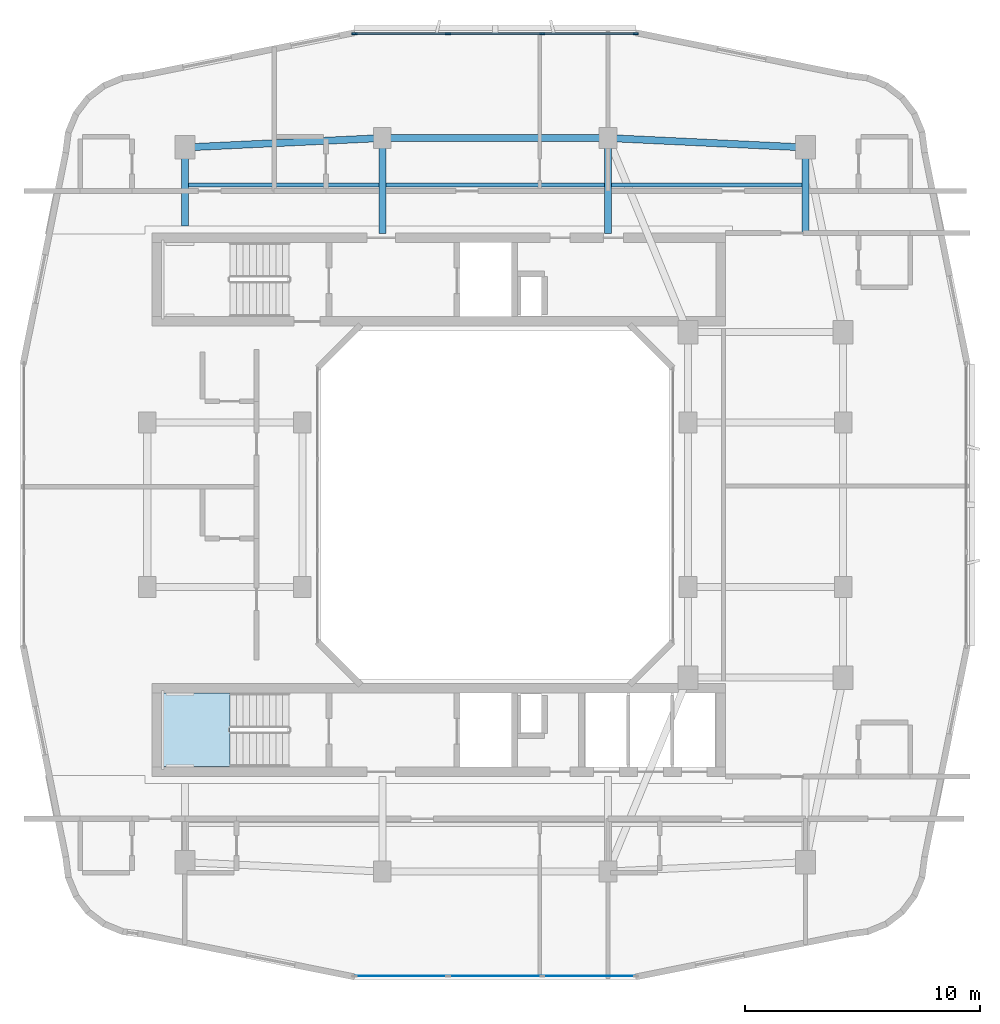
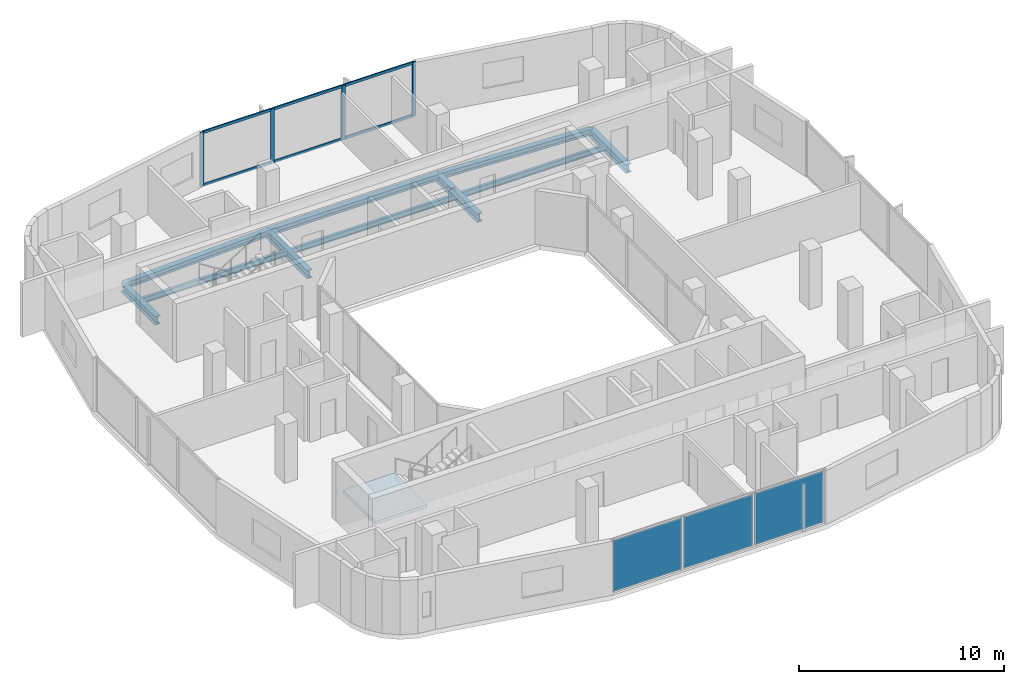
# One storey, part 5 of 14: 10 beams, 10 members, 3 plates, 1 slab, 3 elements without a shape of their own.
"""IFC4 building model written with IfcOpenShell, lengths in metres."""

import ifcopenshell
import ifcopenshell.guid

model = None  # the IFC model being written
_history = None  # IfcOwnerHistory: only IFC2X3 demands one
_inside = {}  # id of a spatial element -> (the spatial element, [elements in it])
_under = {}  # id of a project, library or spatial element -> (it, [spatial elements below it])
_declared = {}  # id of a project -> (the project, [libraries it declares])
_typed = {}  # id of a type object -> (the type object, [elements of that type])
_made_of = {}  # id of a material, layer set ... -> (it, [elements and type objects made of it])


def new_model(schema):
    """Start an empty IFC model of exactly this schema.

    Asked for "IFC4X3", IfcOpenShell would pick the latest addendum, in which some entities
    have other attributes; the version numbers below select the first issue.
    IFC2X3 requires an IfcOwnerHistory on every rooted entity: one is made here for all.
    """
    global model, _history
    if schema == "IFC4X3":
        model = ifcopenshell.file(schema_version=(4, 3, 0, 0))
    else:
        model = ifcopenshell.file(schema=schema)
    _inside.clear()
    _under.clear()
    _declared.clear()
    _typed.clear()
    _made_of.clear()
    _history = None
    if model.schema == "IFC2X3":
        org = make("IfcOrganization", Name="unknown")
        user = make(
            "IfcPersonAndOrganization",
            ThePerson=make("IfcPerson", FamilyName="unknown"),
            TheOrganization=org,
        )
        app = make(
            "IfcApplication",
            ApplicationDeveloper=org,
            Version="unknown",
            ApplicationFullName="unknown",
            ApplicationIdentifier="unknown",
        )
        _history = make(
            "IfcOwnerHistory",
            OwningUser=user,
            OwningApplication=app,
            ChangeAction="ADDED",
            CreationDate=0,
        )
    return model


def make(cls, **values):
    """One entity of the class cls with the attributes given. An attribute that is None is left unset."""
    return model.create_entity(
        cls, **{name: value for name, value in values.items() if value is not None}
    )


def rooted(cls, **values):
    """An entity with a GlobalId (a new one), such as an element, a storey or a relation."""
    return make(cls, GlobalId=ifcopenshell.guid.new(), OwnerHistory=_history, **values)


def si_unit(unit_type, name, prefix=None):
    """IfcSIUnit, for example si_unit("LENGTHUNIT", "METRE", prefix="MILLI")."""
    return make("IfcSIUnit", UnitType=unit_type, Prefix=prefix, Name=name)


def derived_unit(unit_type, elements):
    """IfcDerivedUnit: a product of units, each with its exponent."""
    return make(
        "IfcDerivedUnit",
        Elements=[
            make("IfcDerivedUnitElement", Unit=unit, Exponent=power)
            for unit, power in elements
        ],
        UnitType=unit_type,
    )


def assignment(units):
    """IfcUnitAssignment: the units of a project."""
    return None if units is None else make("IfcUnitAssignment", Units=units)


def point(xyz):
    """IfcCartesianPoint."""
    return None if xyz is None else make("IfcCartesianPoint", Coordinates=xyz)


def direction(xyz):
    """IfcDirection."""
    return None if xyz is None else make("IfcDirection", DirectionRatios=xyz)


def frame(location, z_axis=None, x_axis=None):
    """IfcAxis2Placement3D, a coordinate frame: its origin and axes. An axis left out is left unset."""
    return make(
        "IfcAxis2Placement3D",
        Location=point(location),
        Axis=direction(z_axis),
        RefDirection=direction(x_axis),
    )


def frame_2d(location, x_axis=None):
    """IfcAxis2Placement2D, a coordinate frame in the plane: its origin and x axis."""
    return make(
        "IfcAxis2Placement2D", Location=point(location), RefDirection=direction(x_axis)
    )


def origin():
    """The frame at (0, 0, 0) with its axes left unset."""
    return frame((0.0, 0.0, 0.0))


def origin_2d():
    """The frame at (0, 0) in the plane with its x axis left unset."""
    return frame_2d((0.0, 0.0))


def place(relative_to, where):
    """IfcLocalPlacement: puts the frame where relative to a parent placement (None: the world)."""
    return make(
        "IfcLocalPlacement", PlacementRelTo=relative_to, RelativePlacement=where
    )


def context(
    kind, dimensions, precision=None, world=None, true_north=None, identifier=None
):
    """IfcGeometricRepresentationContext, for example the 3D "Model" context."""
    return make(
        "IfcGeometricRepresentationContext",
        ContextIdentifier=identifier,
        ContextType=kind,
        CoordinateSpaceDimension=dimensions,
        Precision=precision,
        WorldCoordinateSystem=world,
        TrueNorth=true_north,
    )


def subcontext(parent, identifier, kind, view, scale=None):
    """IfcGeometricRepresentationSubContext, for example "Body" below "Model"."""
    return make(
        "IfcGeometricRepresentationSubContext",
        ContextIdentifier=identifier,
        ContextType=kind,
        ParentContext=parent,
        TargetScale=scale,
        TargetView=view,
    )


def project(units=None, contexts=None):
    """IfcProject with its units and contexts."""
    return rooted(
        "IfcProject",
        Name="project",
        RepresentationContexts=contexts,
        UnitsInContext=assignment(units),
    )


def spatial(cls, under=None, at=None, **own):
    """A site, building, storey or space (cls), placed at a placement, below another one or the project."""
    s = rooted(cls, ObjectPlacement=at, **own)
    if under is not None:
        _under.setdefault(under.id(), (under, []))[1].append(s)
    return s


def polyline(points):
    """IfcPolyline through the points."""
    return make("IfcPolyline", Points=[point(p) for p in points])


def profile(cls, at=None, kind="AREA", **sizes):
    """A parametric profile (cls). Its sizes go by their IFC names, for example OverallWidth=200.0."""
    return make(cls, ProfileType=kind, Position=at, **sizes)


def rectangle(**sizes):
    """IfcRectangleProfileDef."""
    return profile("IfcRectangleProfileDef", **sizes)


def i_section(**sizes):
    """IfcIShapeProfileDef."""
    return profile("IfcIShapeProfileDef", **sizes)


def outline(outer, holes=None, kind="AREA"):
    """IfcArbitraryClosedProfileDef: a profile drawn as a closed curve; with holes, ...WithVoids."""
    if holes is None:
        return make("IfcArbitraryClosedProfileDef", ProfileType=kind, OuterCurve=outer)
    return make(
        "IfcArbitraryProfileDefWithVoids",
        ProfileType=kind,
        OuterCurve=outer,
        InnerCurves=holes,
    )


def extrude(swept, where, along, depth):
    """IfcExtrudedAreaSolid: the profile swept, set in the frame where, extruded along a direction by depth."""
    return make(
        "IfcExtrudedAreaSolid",
        SweptArea=swept,
        Position=where,
        ExtrudedDirection=direction(along),
        Depth=depth,
    )


def shape(context_of_items, identifier, shape_type, items):
    """IfcShapeRepresentation: the items that make up one representation, for example the "Body"."""
    return make(
        "IfcShapeRepresentation",
        ContextOfItems=context_of_items,
        RepresentationIdentifier=identifier,
        RepresentationType=shape_type,
        Items=items,
    )


def material(Name=None, Category=None):
    """IfcMaterial."""
    return make("IfcMaterial", Name=Name, Category=Category)


def layer(
    of_material, thickness, ventilated=None, Name=None, Category=None, Priority=None
):
    """IfcMaterialLayer: one layer of a wall or slab, of a material (None: an air gap)."""
    return make(
        "IfcMaterialLayer",
        Material=of_material,
        LayerThickness=thickness,
        IsVentilated=ventilated,
        Name=Name,
        Category=Category,
        Priority=Priority,
    )


def layer_set(layers, Name=None):
    """IfcMaterialLayerSet."""
    return make("IfcMaterialLayerSet", MaterialLayers=layers, LayerSetName=Name)


def material_profile(
    of_material, cross_section, Name=None, Category=None, Priority=None
):
    """IfcMaterialProfile: a cross section and its material."""
    return make(
        "IfcMaterialProfile",
        Name=Name,
        Material=of_material,
        Profile=cross_section,
        Priority=Priority,
        Category=Category,
    )


def profile_set(profiles, Name=None, composite=None):
    """IfcMaterialProfileSet."""
    return make(
        "IfcMaterialProfileSet",
        Name=Name,
        MaterialProfiles=profiles,
        CompositeProfile=composite,
    )


def made_of(thing, what):
    """Note that an element or type object is made of a material, layer set ...; save() writes the relation."""
    if what is not None:
        _made_of.setdefault(what.id(), (what, []))[1].append(thing)
    return thing


def type_object(cls, material=None, **own):
    """A type object (cls), such as IfcWallType, which elements share."""
    return made_of(rooted(cls, **own), material)


def element(
    cls,
    number,
    at=None,
    inside=None,
    cuts=None,
    type_object=None,
    material=None,
    context=None,
    identifier="Body",
    shape_type=None,
    held_by="IfcProductDefinitionShape",
    body=None,
    shapes=None,
    **own,
):
    """One element of the class cls, such as IfcWall. Its Tag is "e" and its number.

    at: its placement. inside: the storey or other place that contains it. cuts: it is an
    opening in that element (IfcRelVoidsElement). A single representation is given by context,
    identifier, shape_type and body (its items); several are given by shapes. held_by: the class
    of the entity that holds the representations. save() writes the other relations.
    """
    e = rooted(cls, Tag="e%d" % number, ObjectPlacement=at, **own)
    if body is not None:
        shapes = [shape(context, identifier, shape_type, body)]
    if shapes is not None:
        e.Representation = make(held_by, Representations=shapes)
    if inside is not None:
        _inside.setdefault(inside.id(), (inside, []))[1].append(e)
    if cuts is not None:
        rooted(
            "IfcRelVoidsElement", RelatingBuildingElement=cuts, RelatedOpeningElement=e
        )
    if type_object is not None:
        _typed.setdefault(type_object.id(), (type_object, []))[1].append(e)
    return made_of(e, material)


def aggregate(whole, parts):
    """IfcRelAggregates: a whole, such as a stair, and the parts it consists of."""
    return rooted("IfcRelAggregates", RelatingObject=whole, RelatedObjects=parts)


def save(model, path):
    """Write the relations noted so far, then the file.

    IfcRelAggregates (storeys below a building ...), IfcRelContainedInSpatialStructure (elements
    in a storey), IfcRelDefinesByType, IfcRelAssociatesMaterial and IfcRelDeclares: one each for
    every whole, place, type object, material and project.
    """
    for whole, parts in _under.values():
        aggregate(whole, parts)
    for where, things in _inside.values():
        rooted(
            "IfcRelContainedInSpatialStructure",
            RelatedElements=things,
            RelatingStructure=where,
        )
    for kind, things in _typed.values():
        rooted("IfcRelDefinesByType", RelatedObjects=things, RelatingType=kind)
    for what, things in _made_of.values():
        rooted("IfcRelAssociatesMaterial", RelatedObjects=things, RelatingMaterial=what)
    for by, libraries in _declared.values():
        rooted("IfcRelDeclares", RelatingContext=by, RelatedDefinitions=libraries)
    model.write(path)


model = new_model("IFC4")

# Units and contexts
model_context = context("Model", 3, precision=1e-05, world=origin(), true_north=direction((0.0, 1.0)))
body_context = subcontext(model_context, "Body", "Model", "MODEL_VIEW")
ifc_project = project(units=[si_unit("LENGTHUNIT", "METRE"), si_unit("AREAUNIT", "SQUARE_METRE"), si_unit("VOLUMEUNIT", "CUBIC_METRE"), si_unit("PLANEANGLEUNIT", "RADIAN"), si_unit("MASSUNIT", "GRAM", prefix="KILO"), derived_unit("THERMALTRANSMITTANCEUNIT", [(si_unit("POWERUNIT", "WATT"), 1), (si_unit("LENGTHUNIT", "METRE"), -2), (si_unit("THERMODYNAMICTEMPERATUREUNIT", "KELVIN"), -1)])], contexts=[model_context])

# Site, building, storey
site_placement = place(None, origin())
site = spatial("IfcSite", under=ifc_project, at=site_placement, CompositionType="ELEMENT")
building_placement = place(site_placement, origin())
building = spatial("IfcBuilding", under=site, at=building_placement, Name="Kivonza Crest Hotel", CompositionType="ELEMENT")
storey_placement = place(building_placement, frame((0.0, 0.0, 141.5)))
storey = spatial("IfcBuildingStorey", under=building, at=storey_placement, Name="L38", CompositionType="ELEMENT", Elevation=141.5)

# Beams
ifc_material_1 = material(Name="Steel S355", Category="steel")
ifc_material_profile_1 = material_profile(ifc_material_1, i_section(OverallWidth=0.300048828125, OverallDepth=0.360107421875, WebThickness=0.012451171875, FlangeThickness=0.0224609375, FilletRadius=0.027099609375, at=origin_2d()), Name="HEB 360")
ifc_profile_set_1 = profile_set([ifc_material_profile_1], Name="Steel S355")
beam_type_1 = type_object("IfcBeamType", Name="BM-HEB360", PredefinedType="SPANDREL", material=ifc_profile_set_1)
beam_1_placement = place(storey_placement, frame((34.199951171875, 40.199951171875, -0.4599609375), z_axis=(-0.998867283688, 0.047583080799, 0.0), x_axis=(-0.047583080799, -0.998867283688, 0.0)))
element("IfcBeam", 1, at=beam_1_placement, inside=storey, type_object=beam_type_1, Name="Tower T1 L38 perimeter spandrel NE-N2", PredefinedType="SPANDREL", context=body_context, shape_type="SweptSolid", body=[
    extrude(i_section(OverallWidth=0.300048828125, OverallDepth=0.360107421875, WebThickness=0.012451171875, FlangeThickness=0.0224609375, FilletRadius=0.027099609375, at=origin_2d()), origin(), (0.0, 0.0, 1.0), 8.409423828125),
])
beam_2_placement = place(storey_placement, frame((25.800048828125, 40.60009765625, -0.4599609375), z_axis=(-1.0, 0.0, 0.0), x_axis=(0.0, -1.0, 0.0)))
element("IfcBeam", 2, at=beam_2_placement, inside=storey, type_object=beam_type_1, Name="Tower T1 L38 perimeter spandrel N2-N1", PredefinedType="SPANDREL", context=body_context, shape_type="SweptSolid", body=[
    extrude(i_section(OverallWidth=0.300048828125, OverallDepth=0.360107421875, WebThickness=0.012451171875, FlangeThickness=0.0224609375, FilletRadius=0.027099609375, at=origin_2d()), origin(), (0.0, 0.0, 1.0), 9.60009765625),
])
beam_3_placement = place(storey_placement, frame((16.199951171875, 40.60009765625, -0.4599609375), z_axis=(-0.998867283688, -0.047583080799, 0.0), x_axis=(0.047583080799, -0.998867283688, 0.0)))
element("IfcBeam", 3, at=beam_3_placement, inside=storey, type_object=beam_type_1, Name="Tower T1 L38 perimeter spandrel N1-NW", PredefinedType="SPANDREL", context=body_context, shape_type="SweptSolid", body=[
    extrude(i_section(OverallWidth=0.300048828125, OverallDepth=0.360107421875, WebThickness=0.012451171875, FlangeThickness=0.0224609375, FilletRadius=0.027099609375, at=origin_2d()), origin(), (0.0, 0.0, 1.0), 8.409423828125),
])
ifc_material_profile_2 = material_profile(ifc_material_1, i_section(OverallWidth=0.300048828125, OverallDepth=0.5, WebThickness=0.014404296875, FlangeThickness=0.028076171875, FilletRadius=0.027099609375, at=origin_2d()), Name="HEB 500")
ifc_profile_set_2 = profile_set([ifc_material_profile_2], Name="Steel S355")
beam_type_2 = type_object("IfcBeamType", Name="BM-HEB500", PredefinedType="BEAM", material=ifc_profile_set_2)
beam_4_placement = place(storey_placement, frame((7.800048828125, 40.199951171875, -0.530029296875), z_axis=(0.0, -1.0, 0.0), x_axis=(1.0, 0.0, 0.0)))
element("IfcBeam", 4, at=beam_4_placement, inside=storey, type_object=beam_type_2, Name="Tower T1 L38 radial core girder RNW", PredefinedType="BEAM", context=body_context, shape_type="SweptSolid", body=[
    extrude(i_section(OverallWidth=0.300048828125, OverallDepth=0.5, WebThickness=0.014404296875, FlangeThickness=0.028076171875, FilletRadius=0.027099609375, at=origin_2d()), origin(), (0.0, 0.0, 1.0), 3.349853515625),
])
for number, where, z_axis, x_axis, name in (
    (5, (16.199951171875, 40.60009765625, -0.530029296875), (0.0, -1.0, 0.0), (1.0, 0.0, 0.0), "Tower T1 L38 radial core girder RN1"),
    (6, (25.800048828125, 40.60009765625, -0.530029296875), (0.0, -1.0, 0.0), (1.0, 0.0, 0.0), "Tower T1 L38 radial core girder RN2"),
):
    element("IfcBeam", number, at=place(storey_placement, frame(where, z_axis=z_axis, x_axis=x_axis)), inside=storey, type_object=beam_type_2, Name=name, PredefinedType="BEAM", context=body_context, shape_type="SweptSolid", body=[
        extrude(i_section(OverallWidth=0.300048828125, OverallDepth=0.5, WebThickness=0.014404296875, FlangeThickness=0.028076171875, FilletRadius=0.027099609375, at=origin_2d()), origin(), (0.0, 0.0, 1.0), 4.050048828125),
    ])
beam_5_placement = place(storey_placement, frame((34.199951171875, 40.199951171875, -0.530029296875), z_axis=(0.0, -1.0, 0.0), x_axis=(1.0, 0.0, 0.0)))
element("IfcBeam", 7, at=beam_5_placement, inside=storey, type_object=beam_type_2, Name="Tower T1 L38 radial core girder RNE", PredefinedType="BEAM", context=body_context, shape_type="SweptSolid", body=[
    extrude(i_section(OverallWidth=0.300048828125, OverallDepth=0.5, WebThickness=0.014404296875, FlangeThickness=0.028076171875, FilletRadius=0.027099609375, at=origin_2d()), origin(), (0.0, 0.0, 1.0), 3.64990234375),
])
ifc_material_profile_3 = material_profile(ifc_material_1, i_section(OverallWidth=0.159912109375, OverallDepth=0.330078125, WebThickness=0.007568359375, FlangeThickness=0.011474609375, FilletRadius=0.01806640625, at=origin_2d()), Name="IPE 330")
ifc_profile_set_3 = profile_set([ifc_material_profile_3], Name="Steel S355")
beam_type_3 = type_object("IfcBeamType", Name="BM-IPE330", PredefinedType="JOIST", material=ifc_profile_set_3)
beam_6_placement = place(storey_placement, frame((7.8798828125, 38.60009765625, -0.445068359375), z_axis=(1.0, 0.0, 0.0), x_axis=(0.0, 1.0, 0.0)))
element("IfcBeam", 8, at=beam_6_placement, inside=storey, type_object=beam_type_3, Name="Tower T1 L38 North-West floor joist", PredefinedType="JOIST", context=body_context, shape_type="SweptSolid", body=[
    extrude(i_section(OverallWidth=0.159912109375, OverallDepth=0.330078125, WebThickness=0.007568359375, FlangeThickness=0.011474609375, FilletRadius=0.01806640625, at=origin_2d()), origin(), (0.0, 0.0, 1.0), 8.240234375),
])
beam_7_placement = place(storey_placement, frame((16.280029296875, 38.60009765625, -0.445068359375), z_axis=(1.0, 0.0, 0.0), x_axis=(0.0, 1.0, 0.0)))
element("IfcBeam", 9, at=beam_7_placement, inside=storey, type_object=beam_type_3, Name="Tower T1 L38 North-Mid floor joist", PredefinedType="JOIST", context=body_context, shape_type="SweptSolid", body=[
    extrude(i_section(OverallWidth=0.159912109375, OverallDepth=0.330078125, WebThickness=0.007568359375, FlangeThickness=0.011474609375, FilletRadius=0.01806640625, at=origin_2d()), origin(), (0.0, 0.0, 1.0), 9.43994140625),
])
beam_8_placement = place(storey_placement, frame((25.8798828125, 38.60009765625, -0.445068359375), z_axis=(1.0, 0.0, 0.0), x_axis=(0.0, 1.0, 0.0)))
element("IfcBeam", 10, at=beam_8_placement, inside=storey, type_object=beam_type_3, Name="Tower T1 L38 North-East floor joist", PredefinedType="JOIST", context=body_context, shape_type="SweptSolid", body=[
    extrude(i_section(OverallWidth=0.159912109375, OverallDepth=0.330078125, WebThickness=0.007568359375, FlangeThickness=0.011474609375, FilletRadius=0.01806640625, at=origin_2d()), origin(), (0.0, 0.0, 1.0), 8.240234375),
])

# Curtain wall, members
ifc_material_2 = material(Name="Anodised bronze aluminium and low-E double glazing", Category="aluminium")
ifc_layer_1 = layer(ifc_material_2, 0.179931640625)
ifc_layer_set_1 = layer_set([ifc_layer_1], Name="Anodised bronze aluminium and low-E double glazing")
curtain_wall_type = type_object("IfcCurtainWallType", Name="CW-SYS-3", PredefinedType="NOTDEFINED", material=ifc_layer_set_1)
curtain_wall_1_placement = place(storey_placement, origin())
curtain_wall_1 = element("IfcCurtainWall", 11, at=curtain_wall_1_placement, inside=storey, type_object=curtain_wall_type, Name="L38 unitised curtain wall CW-T1-L38-26", PredefinedType="NOTDEFINED")
ifc_material_3 = material(Name="Anodised bronze aluminium", Category="aluminium")
ifc_material_profile_4 = material_profile(ifc_material_3, rectangle(XDim=0.074951171875, YDim=0.219970703125, at=origin_2d()), Name="CW-M 75x220")
ifc_profile_set_4 = profile_set([ifc_material_profile_4], Name="Anodised bronze aluminium")
member_type_1 = type_object("IfcMemberType", Name="CW-MUL-75x220", PredefinedType="MULLION", material=ifc_profile_set_4)
member_1_placement = place(storey_placement, frame((26.982421875, 45.0400390625, 0.0), z_axis=(0.0, 0.0, 1.0), x_axis=(0.0, -1.0, 0.0)))
member_1 = element("IfcMember", 12, at=member_1_placement, type_object=member_type_1, Name="CW-3 mullion 1", PredefinedType="MULLION", context=body_context, shape_type="SweptSolid", body=[
    extrude(rectangle(XDim=0.074951171875, YDim=0.219970703125, at=origin_2d()), origin(), (0.0, 0.0, 1.0), 3.219970703125),
])
member_2_placement = place(storey_placement, frame((23.006591796875, 45.0400390625, 0.0), z_axis=(0.0, 0.0, 1.0), x_axis=(0.0, -1.0, 0.0)))
member_2 = element("IfcMember", 13, at=member_2_placement, type_object=member_type_1, Name="CW-3 mullion 2", PredefinedType="MULLION", context=body_context, shape_type="SweptSolid", body=[
    extrude(rectangle(XDim=0.074951171875, YDim=0.219970703125, at=origin_2d()), origin(), (0.0, 0.0, 1.0), 3.219970703125),
])
member_3_placement = place(storey_placement, frame((18.993408203125, 45.0400390625, 0.0), z_axis=(0.0, 0.0, 1.0), x_axis=(0.0, -1.0, 0.0)))
member_3 = element("IfcMember", 14, at=member_3_placement, type_object=member_type_1, Name="CW-3 mullion 3", PredefinedType="MULLION", context=body_context, shape_type="SweptSolid", body=[
    extrude(rectangle(XDim=0.074951171875, YDim=0.219970703125, at=origin_2d()), origin(), (0.0, 0.0, 1.0), 3.219970703125),
])
member_4_placement = place(storey_placement, frame((15.017578125, 45.0400390625, 0.0), z_axis=(0.0, 0.0, 1.0), x_axis=(0.0, -1.0, 0.0)))
member_4 = element("IfcMember", 15, at=member_4_placement, type_object=member_type_1, Name="CW-3 mullion 4", PredefinedType="MULLION", context=body_context, shape_type="SweptSolid", body=[
    extrude(rectangle(XDim=0.074951171875, YDim=0.219970703125, at=origin_2d()), origin(), (0.0, 0.0, 1.0), 3.219970703125),
])
ifc_material_profile_5 = material_profile(ifc_material_3, rectangle(XDim=0.074951171875, YDim=0.159912109375, at=origin_2d()), Name="CW-T 75x160")
ifc_profile_set_5 = profile_set([ifc_material_profile_5], Name="Anodised bronze aluminium")
member_type_2 = type_object("IfcMemberType", Name="CW-TRN-75x160", PredefinedType="USERDEFINED", material=ifc_profile_set_5)
member_5_placement = place(storey_placement, frame((26.945068359375, 45.0400390625, 0.03759765625), z_axis=(-1.0, 0.0, 0.0), x_axis=(0.0, -1.0, 0.0)))
member_5 = element("IfcMember", 16, at=member_5_placement, type_object=member_type_2, Name="CW-3 transom 1.1", ObjectType="TRANSOM", PredefinedType="USERDEFINED", context=body_context, shape_type="SweptSolid", body=[
    extrude(rectangle(XDim=0.074951171875, YDim=0.159912109375, at=origin_2d()), origin(), (0.0, 0.0, 1.0), 3.90087890625),
])
member_6_placement = place(storey_placement, frame((26.945068359375, 45.0400390625, 3.1826171875), z_axis=(-1.0, 0.0, 0.0), x_axis=(0.0, -1.0, 0.0)))
member_6 = element("IfcMember", 17, at=member_6_placement, type_object=member_type_2, Name="CW-3 transom 1.2", ObjectType="TRANSOM", PredefinedType="USERDEFINED", context=body_context, shape_type="SweptSolid", body=[
    extrude(rectangle(XDim=0.074951171875, YDim=0.159912109375, at=origin_2d()), origin(), (0.0, 0.0, 1.0), 3.90087890625),
])
member_7_placement = place(storey_placement, frame((22.96923828125, 45.0400390625, 0.03759765625), z_axis=(-1.0, 0.0, 0.0), x_axis=(0.0, -1.0, 0.0)))
member_7 = element("IfcMember", 18, at=member_7_placement, type_object=member_type_2, Name="CW-3 transom 2.1", ObjectType="TRANSOM", PredefinedType="USERDEFINED", context=body_context, shape_type="SweptSolid", body=[
    extrude(rectangle(XDim=0.074951171875, YDim=0.159912109375, at=origin_2d()), origin(), (0.0, 0.0, 1.0), 3.9384765625),
])
member_8_placement = place(storey_placement, frame((22.96923828125, 45.0400390625, 3.1826171875), z_axis=(-1.0, 0.0, 0.0), x_axis=(0.0, -1.0, 0.0)))
member_8 = element("IfcMember", 19, at=member_8_placement, type_object=member_type_2, Name="CW-3 transom 2.2", ObjectType="TRANSOM", PredefinedType="USERDEFINED", context=body_context, shape_type="SweptSolid", body=[
    extrude(rectangle(XDim=0.074951171875, YDim=0.159912109375, at=origin_2d()), origin(), (0.0, 0.0, 1.0), 3.9384765625),
])
member_9_placement = place(storey_placement, frame((18.955810546875, 45.0400390625, 0.03759765625), z_axis=(-1.0, 0.0, 0.0), x_axis=(0.0, -1.0, 0.0)))
member_9 = element("IfcMember", 20, at=member_9_placement, type_object=member_type_2, Name="CW-3 transom 3.1", ObjectType="TRANSOM", PredefinedType="USERDEFINED", context=body_context, shape_type="SweptSolid", body=[
    extrude(rectangle(XDim=0.074951171875, YDim=0.159912109375, at=origin_2d()), origin(), (0.0, 0.0, 1.0), 3.90087890625),
])
member_10_placement = place(storey_placement, frame((18.955810546875, 45.0400390625, 3.1826171875), z_axis=(-1.0, 0.0, 0.0), x_axis=(0.0, -1.0, 0.0)))
member_10 = element("IfcMember", 21, at=member_10_placement, type_object=member_type_2, Name="CW-3 transom 3.2", ObjectType="TRANSOM", PredefinedType="USERDEFINED", context=body_context, shape_type="SweptSolid", body=[
    extrude(rectangle(XDim=0.074951171875, YDim=0.159912109375, at=origin_2d()), origin(), (0.0, 0.0, 1.0), 3.90087890625),
])
aggregate(curtain_wall_1, [member_1, member_2, member_3, member_4, member_5, member_6, member_7, member_8, member_9, member_10])

# Curtain wall, plates
curtain_wall_2_placement = place(storey_placement, origin())
curtain_wall_2 = element("IfcCurtainWall", 22, at=curtain_wall_2_placement, inside=storey, type_object=curtain_wall_type, Name="L38 unitised curtain wall CW-T1-L38-08", PredefinedType="NOTDEFINED")
ifc_material_4 = material(Name="Acoustic triple-laminated low-E glazing", Category="glass")
ifc_layer_2 = layer(ifc_material_4, 0.035888671875)
ifc_layer_set_2 = layer_set([ifc_layer_2], Name="Acoustic triple-laminated low-E glazing")
plate_type = type_object("IfcPlateType", Name="CW-PNL-36", PredefinedType="CURTAIN_PANEL", material=ifc_layer_set_2)
plate_1_placement = place(storey_placement, frame((17.00537109375, 4.9599609375, 0.0751953125), z_axis=(0.0, 0.0, 1.0), x_axis=(1.0, 0.0, 0.0)))
plate_1 = element("IfcPlate", 23, at=plate_1_placement, type_object=plate_type, Name="CW-3 panel 1.1", PredefinedType="CURTAIN_PANEL", context=body_context, shape_type="SweptSolid", body=[
    extrude(rectangle(XDim=3.90087890625, YDim=0.035888671875, at=origin_2d()), origin(), (0.0, 0.0, 1.0), 3.070068359375),
])
plate_2_placement = place(storey_placement, frame((21.0, 4.9599609375, 0.0751953125), z_axis=(0.0, 0.0, 1.0), x_axis=(1.0, 0.0, 0.0)))
plate_2 = element("IfcPlate", 24, at=plate_2_placement, type_object=plate_type, Name="CW-3 panel 2.1", PredefinedType="CURTAIN_PANEL", context=body_context, shape_type="SweptSolid", body=[
    extrude(rectangle(XDim=3.938232421875, YDim=0.035888671875, at=origin_2d()), origin(), (0.0, 0.0, 1.0), 3.070068359375),
])
plate_3_placement = place(storey_placement, frame((24.99462890625, 4.9599609375, 0.0751953125), z_axis=(0.0, 0.0, 1.0), x_axis=(1.0, 0.0, 0.0)))
plate_3 = element("IfcPlate", 25, at=plate_3_placement, type_object=plate_type, Name="CW-3 panel 3.1", PredefinedType="CURTAIN_PANEL", context=body_context, shape_type="SweptSolid", body=[
    extrude(rectangle(XDim=3.90087890625, YDim=0.035888671875, at=origin_2d()), origin(), (0.0, 0.0, 1.0), 3.070068359375),
])
aggregate(curtain_wall_2, [plate_1, plate_2, plate_3])

# Stair, slab
ifc_material_5 = material(Name="Concrete C40/50", Category="concrete")
stair_type = type_object("IfcStairType", Name="ST-DL-20R", PredefinedType="HALF_TURN_STAIR", material=ifc_material_5)
stair_placement = place(storey_placement, origin())
stair = element("IfcStair", 26, at=stair_placement, inside=storey, type_object=stair_type, Name="L38 Protected Exit Stair ST-T1-S", PredefinedType="HALF_TURN_STAIR")
ifc_layer_3 = layer(ifc_material_5, 0.199951171875)
ifc_layer_set_3 = layer_set([ifc_layer_3], Name="Concrete C40/50")
slab_type = type_object("IfcSlabType", Name="SL-LAND-200", PredefinedType="LANDING", material=ifc_layer_set_3)
slab_placement = place(storey_placement, frame((0.0, 0.0, 1.550048828125)))
slab = element("IfcSlab", 27, at=slab_placement, type_object=slab_type, Name="ST-T1-S landing 1", PredefinedType="LANDING", context=body_context, shape_type="SweptSolid", body=[
    extrude(outline(polyline([(9.719970703125, 17.0), (6.800048828125, 17.0), (6.800048828125, 13.860107421875), (9.719970703125, 13.860107421875), (9.719970703125, 17.0)])), origin(), (0.0, 0.0, 1.0), 0.199951171875),
])
aggregate(stair, [slab])

save(model, "model.ifc")
